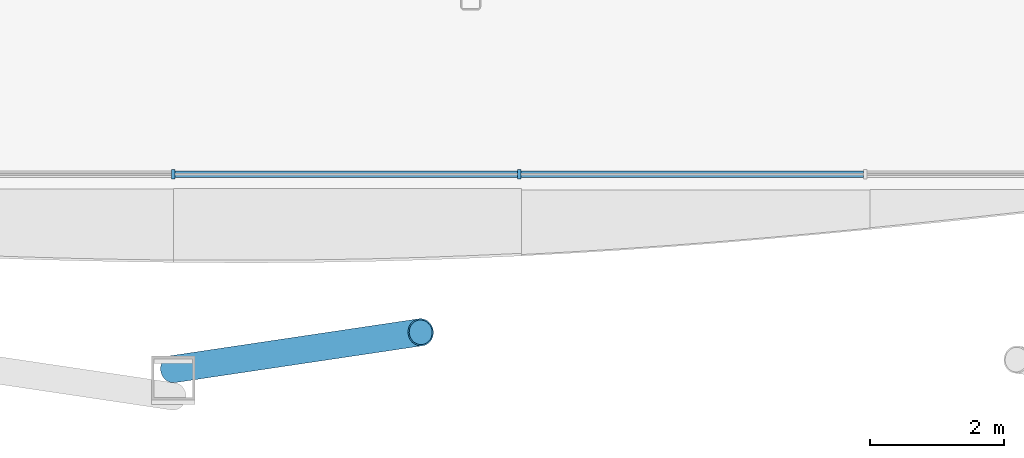
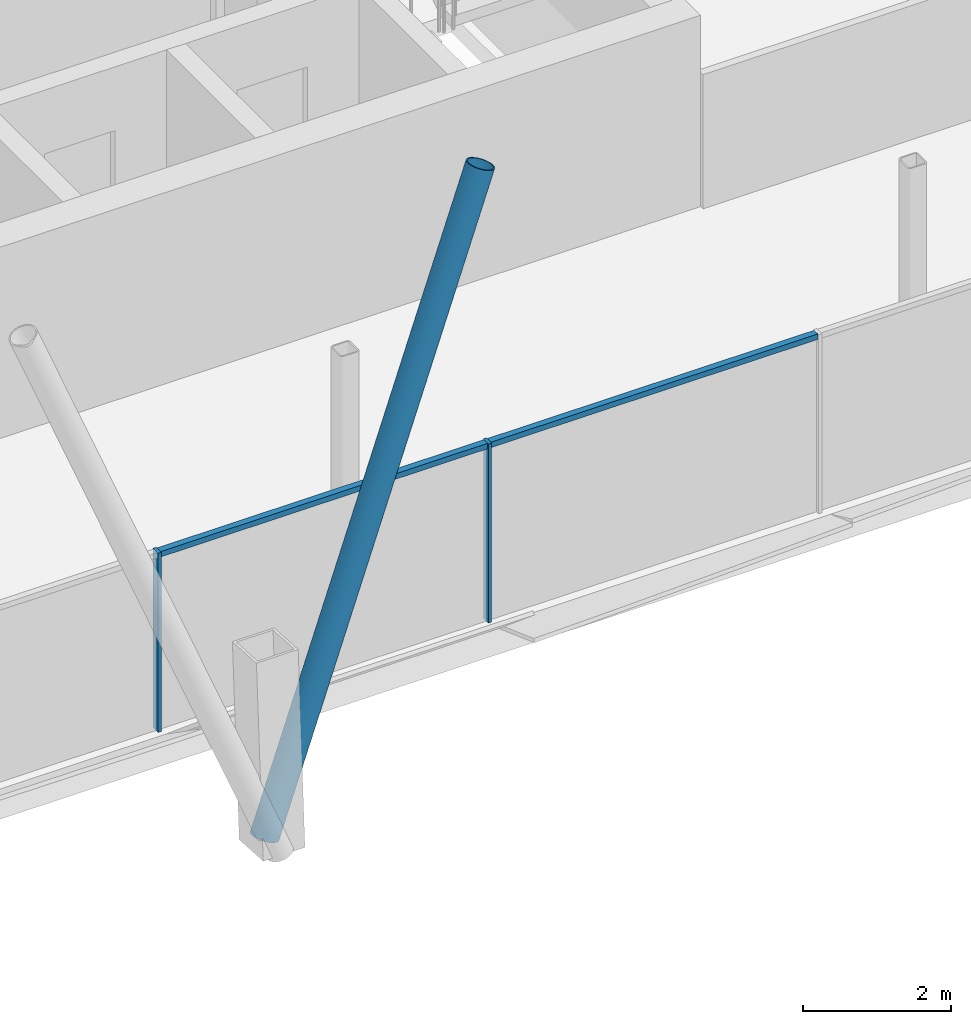
# One storey, part 5 of 18: 5 members, 1 element without a shape of its own.
"""IFC4 building model written with IfcOpenShell, lengths in metres."""

from ifc_helpers import new_model, si_unit, direction, frame, origin, origin_2d, place, context, subcontext, project, spatial, rectangle, hollow_circle, extrude, material, material_profile, profile_set, type_object, element, aggregate, save


model = new_model("IFC4")

# Units and contexts
model_context = context("Model", 3, precision=1e-05, world=origin(), true_north=direction((0.0, 1.0)))
body_context = subcontext(model_context, "Body", "Model", "MODEL_VIEW")
ifc_project = project(units=[si_unit("LENGTHUNIT", "METRE"), si_unit("AREAUNIT", "SQUARE_METRE"), si_unit("VOLUMEUNIT", "CUBIC_METRE"), si_unit("PLANEANGLEUNIT", "RADIAN"), si_unit("MASSUNIT", "GRAM", prefix="KILO")], contexts=[model_context])

# Site, building, storey
site_placement = place(None, origin())
site = spatial("IfcSite", under=ifc_project, at=site_placement, CompositionType="ELEMENT")
building_placement = place(site_placement, origin())
building = spatial("IfcBuilding", under=site, at=building_placement, Name="Tskaro Facet Tower", CompositionType="ELEMENT")
storey_placement = place(building_placement, frame((0.0, 0.0, 217.199951171875)))
storey = spatial("IfcBuildingStorey", under=building, at=storey_placement, Name="L55", CompositionType="ELEMENT", Elevation=217.199951171875)

# Member
ifc_material_1 = material(Name="Steel S355J2H", Category="steel")
ifc_material_profile_1 = material_profile(ifc_material_1, hollow_circle(Radius=0.203125, WallThickness=0.02001953125, at=origin_2d()), Name="CHS 406.4x20")
ifc_profile_set_1 = profile_set([ifc_material_profile_1], Name="Steel S355J2H")
member_type_1 = type_object("IfcMemberType", Name="CHS 406.4x20 brace", PredefinedType="BRACE", material=ifc_profile_set_1)
member_1_placement = place(storey_placement, frame((-3.0, -21.8818359375, 0.0), z_axis=(0.362320562479, 0.053968263188, 0.930489783165), x_axis=(-0.14732632863, 0.989087939919, 0.0)))
element("IfcMember", 1, at=member_1_placement, inside=storey, type_object=member_type_1, Name="CHS 406.4x20 XB02A/5", PredefinedType="BRACE", context=body_context, shape_type="SweptSolid", body=[
    extrude(hollow_circle(Radius=0.203125, WallThickness=0.02001953125, at=origin_2d()), origin(), (0.0, 0.0, 1.0), 10.156005859375),
])

# Curtain wall, members
ifc_material_2 = material(Name="Bronze anodised aluminium 6063-T6", Category="aluminium")
curtain_wall_type = type_object("IfcCurtainWallType", Name="Bronze residence curtain wall (FW3)", PredefinedType="NOTDEFINED", material=ifc_material_2)
curtain_wall_placement = place(storey_placement, origin())
curtain_wall = element("IfcCurtainWall", 2, at=curtain_wall_placement, inside=storey, type_object=curtain_wall_type, Name="FW3 south facet L55", PredefinedType="NOTDEFINED")
ifc_material_profile_2 = material_profile(ifc_material_2, rectangle(XDim=0.050048828125, YDim=0.139892578125, at=origin_2d()), Name="Mullion 50x140")
ifc_profile_set_2 = profile_set([ifc_material_profile_2], Name="Bronze anodised aluminium 6063-T6")
member_type_2 = type_object("IfcMemberType", Name="FW3 bronze mullion 50x140", PredefinedType="MULLION", material=ifc_profile_set_2)
member_2_placement = place(storey_placement, frame((-3.0, -18.985107421875, 0.0), z_axis=(0.0, 0.0, 1.0), x_axis=(1.0, 0.0, 0.0)))
member_2 = element("IfcMember", 3, at=member_2_placement, type_object=member_type_2, Name="FW3 south mullion 3", PredefinedType="MULLION", context=body_context, shape_type="SweptSolid", body=[
    extrude(rectangle(XDim=0.050048828125, YDim=0.139892578125, at=origin_2d()), origin(), (0.0, 0.0, 1.0), 2.949951171875),
])
member_3_placement = place(storey_placement, frame((2.14501953125, -18.985107421875, 0.0), z_axis=(0.0, 0.0, 1.0), x_axis=(1.0, 0.0, 0.0)))
member_3 = element("IfcMember", 4, at=member_3_placement, type_object=member_type_2, Name="FW3 south mullion 4", PredefinedType="MULLION", context=body_context, shape_type="SweptSolid", body=[
    extrude(rectangle(XDim=0.050048828125, YDim=0.139892578125, at=origin_2d()), origin(), (0.0, 0.0, 1.0), 2.949951171875),
])
ifc_material_profile_3 = material_profile(ifc_material_2, rectangle(XDim=0.10009765625, YDim=0.090087890625, at=origin_2d()), Name="Transom 100x90")
ifc_profile_set_3 = profile_set([ifc_material_profile_3], Name="Bronze anodised aluminium 6063-T6")
member_type_3 = type_object("IfcMemberType", Name="FW3 bronze transom 100x90", PredefinedType="USERDEFINED", material=ifc_profile_set_3)
member_4_placement = place(storey_placement, frame((-2.97509765625, -18.985107421875, 2.905029296875), z_axis=(1.0, 0.0, 0.0), x_axis=(0.0, 1.0, 0.0)))
member_4 = element("IfcMember", 5, at=member_4_placement, type_object=member_type_3, Name="FW3 south transom 4.1", ObjectType="TRANSOM", PredefinedType="USERDEFINED", context=body_context, shape_type="SweptSolid", body=[
    extrude(rectangle(XDim=0.10009765625, YDim=0.090087890625, at=origin_2d()), origin(), (0.0, 0.0, 1.0), 5.09521484375),
])
member_5_placement = place(storey_placement, frame((2.169921875, -18.985107421875, 2.905029296875), z_axis=(1.0, 0.0, 0.0), x_axis=(0.0, 1.0, 0.0)))
member_5 = element("IfcMember", 6, at=member_5_placement, type_object=member_type_3, Name="FW3 south transom 5.1", ObjectType="TRANSOM", PredefinedType="USERDEFINED", context=body_context, shape_type="SweptSolid", body=[
    extrude(rectangle(XDim=0.10009765625, YDim=0.090087890625, at=origin_2d()), origin(), (0.0, 0.0, 1.0), 5.094970703125),
])
aggregate(curtain_wall, [member_2, member_3, member_4, member_5])

save(model, "model.ifc")
